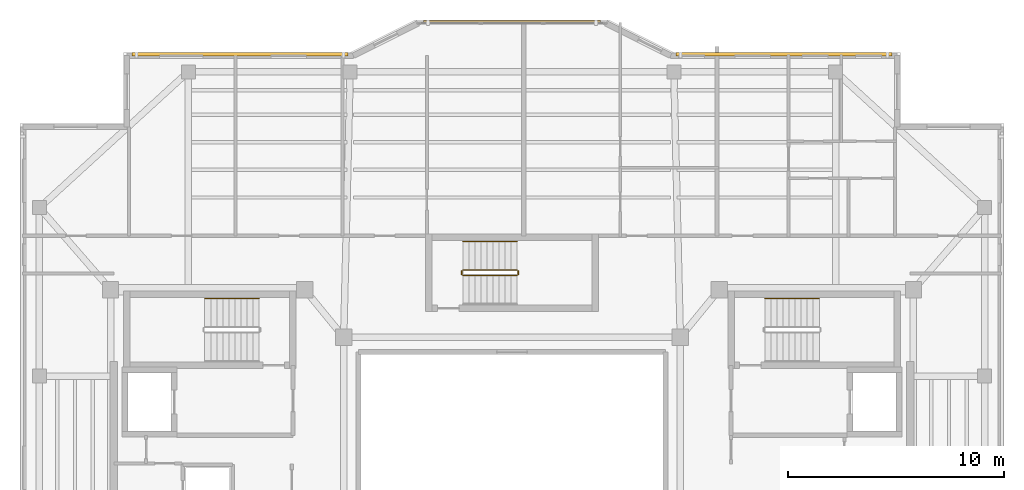
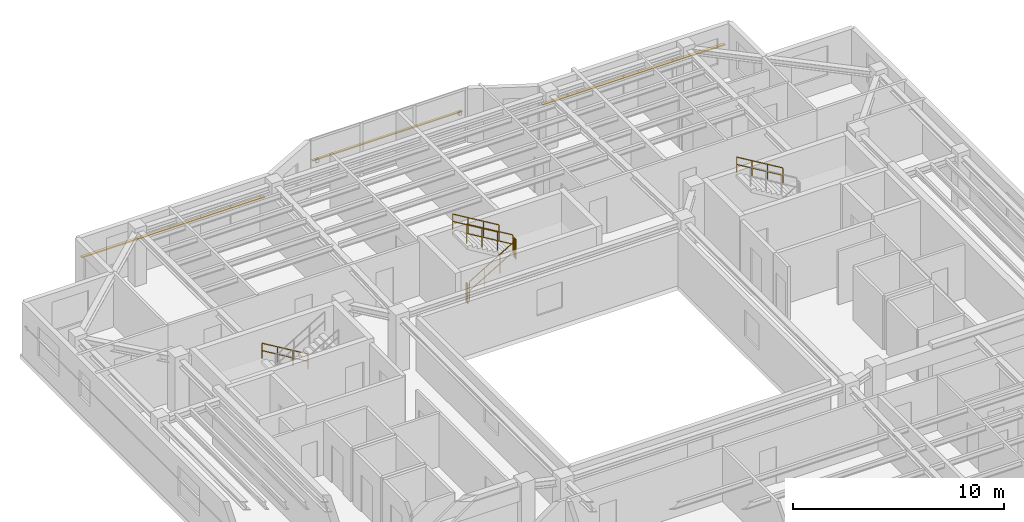
# One storey, part 14 of 14: 7 railings, 3 shading devices.
"""IFC4 building model written with IfcOpenShell, lengths in metres."""

import ifcopenshell
import ifcopenshell.guid

model = None  # the IFC model being written
_history = None  # IfcOwnerHistory: only IFC2X3 demands one
_inside = {}  # id of a spatial element -> (the spatial element, [elements in it])
_under = {}  # id of a project, library or spatial element -> (it, [spatial elements below it])
_declared = {}  # id of a project -> (the project, [libraries it declares])
_typed = {}  # id of a type object -> (the type object, [elements of that type])
_made_of = {}  # id of a material, layer set ... -> (it, [elements and type objects made of it])


def new_model(schema):
    """Start an empty IFC model of exactly this schema.

    Asked for "IFC4X3", IfcOpenShell would pick the latest addendum, in which some entities
    have other attributes; the version numbers below select the first issue.
    IFC2X3 requires an IfcOwnerHistory on every rooted entity: one is made here for all.
    """
    global model, _history
    if schema == "IFC4X3":
        model = ifcopenshell.file(schema_version=(4, 3, 0, 0))
    else:
        model = ifcopenshell.file(schema=schema)
    _inside.clear()
    _under.clear()
    _declared.clear()
    _typed.clear()
    _made_of.clear()
    _history = None
    if model.schema == "IFC2X3":
        org = make("IfcOrganization", Name="unknown")
        user = make(
            "IfcPersonAndOrganization",
            ThePerson=make("IfcPerson", FamilyName="unknown"),
            TheOrganization=org,
        )
        app = make(
            "IfcApplication",
            ApplicationDeveloper=org,
            Version="unknown",
            ApplicationFullName="unknown",
            ApplicationIdentifier="unknown",
        )
        _history = make(
            "IfcOwnerHistory",
            OwningUser=user,
            OwningApplication=app,
            ChangeAction="ADDED",
            CreationDate=0,
        )
    return model


def make(cls, **values):
    """One entity of the class cls with the attributes given. An attribute that is None is left unset."""
    return model.create_entity(
        cls, **{name: value for name, value in values.items() if value is not None}
    )


def rooted(cls, **values):
    """An entity with a GlobalId (a new one), such as an element, a storey or a relation."""
    return make(cls, GlobalId=ifcopenshell.guid.new(), OwnerHistory=_history, **values)


def si_unit(unit_type, name, prefix=None):
    """IfcSIUnit, for example si_unit("LENGTHUNIT", "METRE", prefix="MILLI")."""
    return make("IfcSIUnit", UnitType=unit_type, Prefix=prefix, Name=name)


def assignment(units):
    """IfcUnitAssignment: the units of a project."""
    return None if units is None else make("IfcUnitAssignment", Units=units)


def point(xyz):
    """IfcCartesianPoint."""
    return None if xyz is None else make("IfcCartesianPoint", Coordinates=xyz)


def direction(xyz):
    """IfcDirection."""
    return None if xyz is None else make("IfcDirection", DirectionRatios=xyz)


def frame(location, z_axis=None, x_axis=None):
    """IfcAxis2Placement3D, a coordinate frame: its origin and axes. An axis left out is left unset."""
    return make(
        "IfcAxis2Placement3D",
        Location=point(location),
        Axis=direction(z_axis),
        RefDirection=direction(x_axis),
    )


def frame_2d(location, x_axis=None):
    """IfcAxis2Placement2D, a coordinate frame in the plane: its origin and x axis."""
    return make(
        "IfcAxis2Placement2D", Location=point(location), RefDirection=direction(x_axis)
    )


def origin():
    """The frame at (0, 0, 0) with its axes left unset."""
    return frame((0.0, 0.0, 0.0))


def origin_2d():
    """The frame at (0, 0) in the plane with its x axis left unset."""
    return frame_2d((0.0, 0.0))


def place(relative_to, where):
    """IfcLocalPlacement: puts the frame where relative to a parent placement (None: the world)."""
    return make(
        "IfcLocalPlacement", PlacementRelTo=relative_to, RelativePlacement=where
    )


def context(
    kind, dimensions, precision=None, world=None, true_north=None, identifier=None
):
    """IfcGeometricRepresentationContext, for example the 3D "Model" context."""
    return make(
        "IfcGeometricRepresentationContext",
        ContextIdentifier=identifier,
        ContextType=kind,
        CoordinateSpaceDimension=dimensions,
        Precision=precision,
        WorldCoordinateSystem=world,
        TrueNorth=true_north,
    )


def subcontext(parent, identifier, kind, view, scale=None):
    """IfcGeometricRepresentationSubContext, for example "Body" below "Model"."""
    return make(
        "IfcGeometricRepresentationSubContext",
        ContextIdentifier=identifier,
        ContextType=kind,
        ParentContext=parent,
        TargetScale=scale,
        TargetView=view,
    )


def project(units=None, contexts=None):
    """IfcProject with its units and contexts."""
    return rooted(
        "IfcProject",
        Name="project",
        RepresentationContexts=contexts,
        UnitsInContext=assignment(units),
    )


def spatial(cls, under=None, at=None, **own):
    """A site, building, storey or space (cls), placed at a placement, below another one or the project."""
    s = rooted(cls, ObjectPlacement=at, **own)
    if under is not None:
        _under.setdefault(under.id(), (under, []))[1].append(s)
    return s


def profile(cls, at=None, kind="AREA", **sizes):
    """A parametric profile (cls). Its sizes go by their IFC names, for example OverallWidth=200.0."""
    return make(cls, ProfileType=kind, Position=at, **sizes)


def rectangle(**sizes):
    """IfcRectangleProfileDef."""
    return profile("IfcRectangleProfileDef", **sizes)


def circle(**sizes):
    """IfcCircleProfileDef."""
    return profile("IfcCircleProfileDef", **sizes)


def extrude(swept, where, along, depth):
    """IfcExtrudedAreaSolid: the profile swept, set in the frame where, extruded along a direction by depth."""
    return make(
        "IfcExtrudedAreaSolid",
        SweptArea=swept,
        Position=where,
        ExtrudedDirection=direction(along),
        Depth=depth,
    )


def shape(context_of_items, identifier, shape_type, items):
    """IfcShapeRepresentation: the items that make up one representation, for example the "Body"."""
    return make(
        "IfcShapeRepresentation",
        ContextOfItems=context_of_items,
        RepresentationIdentifier=identifier,
        RepresentationType=shape_type,
        Items=items,
    )


def material(Name=None, Category=None):
    """IfcMaterial."""
    return make("IfcMaterial", Name=Name, Category=Category)


def material_profile(
    of_material, cross_section, Name=None, Category=None, Priority=None
):
    """IfcMaterialProfile: a cross section and its material."""
    return make(
        "IfcMaterialProfile",
        Name=Name,
        Material=of_material,
        Profile=cross_section,
        Priority=Priority,
        Category=Category,
    )


def profile_set(profiles, Name=None, composite=None):
    """IfcMaterialProfileSet."""
    return make(
        "IfcMaterialProfileSet",
        Name=Name,
        MaterialProfiles=profiles,
        CompositeProfile=composite,
    )


def made_of(thing, what):
    """Note that an element or type object is made of a material, layer set ...; save() writes the relation."""
    if what is not None:
        _made_of.setdefault(what.id(), (what, []))[1].append(thing)
    return thing


def type_object(cls, material=None, **own):
    """A type object (cls), such as IfcWallType, which elements share."""
    return made_of(rooted(cls, **own), material)


def element(
    cls,
    number,
    at=None,
    inside=None,
    cuts=None,
    type_object=None,
    material=None,
    context=None,
    identifier="Body",
    shape_type=None,
    held_by="IfcProductDefinitionShape",
    body=None,
    shapes=None,
    **own,
):
    """One element of the class cls, such as IfcWall. Its Tag is "e" and its number.

    at: its placement. inside: the storey or other place that contains it. cuts: it is an
    opening in that element (IfcRelVoidsElement). A single representation is given by context,
    identifier, shape_type and body (its items); several are given by shapes. held_by: the class
    of the entity that holds the representations. save() writes the other relations.
    """
    e = rooted(cls, Tag="e%d" % number, ObjectPlacement=at, **own)
    if body is not None:
        shapes = [shape(context, identifier, shape_type, body)]
    if shapes is not None:
        e.Representation = make(held_by, Representations=shapes)
    if inside is not None:
        _inside.setdefault(inside.id(), (inside, []))[1].append(e)
    if cuts is not None:
        rooted(
            "IfcRelVoidsElement", RelatingBuildingElement=cuts, RelatedOpeningElement=e
        )
    if type_object is not None:
        _typed.setdefault(type_object.id(), (type_object, []))[1].append(e)
    return made_of(e, material)


def aggregate(whole, parts):
    """IfcRelAggregates: a whole, such as a stair, and the parts it consists of."""
    return rooted("IfcRelAggregates", RelatingObject=whole, RelatedObjects=parts)


def save(model, path):
    """Write the relations noted so far, then the file.

    IfcRelAggregates (storeys below a building ...), IfcRelContainedInSpatialStructure (elements
    in a storey), IfcRelDefinesByType, IfcRelAssociatesMaterial and IfcRelDeclares: one each for
    every whole, place, type object, material and project.
    """
    for whole, parts in _under.values():
        aggregate(whole, parts)
    for where, things in _inside.values():
        rooted(
            "IfcRelContainedInSpatialStructure",
            RelatedElements=things,
            RelatingStructure=where,
        )
    for kind, things in _typed.values():
        rooted("IfcRelDefinesByType", RelatedObjects=things, RelatingType=kind)
    for what, things in _made_of.values():
        rooted("IfcRelAssociatesMaterial", RelatedObjects=things, RelatingMaterial=what)
    for by, libraries in _declared.values():
        rooted("IfcRelDeclares", RelatingContext=by, RelatedDefinitions=libraries)
    model.write(path)


model = new_model("IFC4")

# Units and contexts
model_context = context("Model", 3, precision=1e-05, world=origin(), true_north=direction((0.0, 1.0)))
body_context = subcontext(model_context, "Body", "Model", "MODEL_VIEW")
ifc_project = project(units=[si_unit("LENGTHUNIT", "METRE"), si_unit("AREAUNIT", "SQUARE_METRE"), si_unit("VOLUMEUNIT", "CUBIC_METRE"), si_unit("PLANEANGLEUNIT", "RADIAN"), si_unit("MASSUNIT", "GRAM", prefix="KILO")], contexts=[model_context])

# Site, building, storey
site_placement = place(None, origin())
site = spatial("IfcSite", under=ifc_project, at=site_placement, CompositionType="ELEMENT")
building_placement = place(site_placement, origin())
building = spatial("IfcBuilding", under=site, at=building_placement, Name="Tarnavaz Court Tower", CompositionType="ELEMENT")
storey_placement = place(building_placement, frame((0.0, 0.0, 258.25)))
storey = spatial("IfcBuildingStorey", under=building, at=storey_placement, Name="L70", CompositionType="ELEMENT", Elevation=258.25)

# Railings
ifc_material_1 = material(Name="Brushed Stainless Steel", Category="steel")
railing_type_1 = type_object("IfcRailingType", Name="RL-HANDRAIL-900", PredefinedType="HANDRAIL", material=ifc_material_1)
for number, where, name in (
    (1, (-11.719970703125, 9.590087890625, 0.16748046875), "L70 ST-W1 stair handrail 1"),
    (2, (14.239990234375, 9.590087890625, 1.842529296875), "L70 ST-E1 stair handrail 2"),
    (3, (0.239990234375, 12.239990234375, 1.842529296875), "L70 ST-N1 stair handrail 2"),
):
    element("IfcRailing", number, at=place(storey_placement, frame(where)), inside=storey, type_object=railing_type_1, Name=name, PredefinedType="HANDRAIL", context=body_context, shape_type="SweptSolid", body=[
        extrude(circle(Radius=0.02392578125, at=origin_2d()), frame((0.0, 0.0, 0.8759765625), z_axis=(-0.858159760407, 0.0, 0.513382728203), x_axis=(0.0, -1.0, 0.0)), (0.0, 0.0, 1.0), 2.9365234375),
        extrude(circle(Radius=0.02392578125, at=origin_2d()), frame((0.0, 0.0, 0.449951171875), z_axis=(-0.858159760407, 0.0, 0.513382728203), x_axis=(0.0, -1.0, 0.0)), (0.0, 0.0, 1.0), 2.9365234375),
        extrude(circle(Radius=0.02099609375, at=origin_2d()), origin(), (0.0, 0.0, 1.0), 0.851806640625),
        extrude(circle(Radius=0.02099609375, at=origin_2d()), frame((-0.840087890625, 0.0, 0.50244140625)), (0.0, 0.0, 1.0), 0.851806640625),
        extrude(circle(Radius=0.02099609375, at=origin_2d()), frame((-1.679931640625, 0.0, 1.005126953125)), (0.0, 0.0, 1.0), 0.851806640625),
        extrude(circle(Radius=0.02099609375, at=origin_2d()), frame((-2.52001953125, 0.0, 1.507568359375)), (0.0, 0.0, 1.0), 0.851806640625),
    ])
ifc_material_2 = material(Name="Galvanized Painted Tubular Steel", Category="steel")
railing_type_2 = type_object("IfcRailingType", Name="RL-STGUARD-1120", PredefinedType="GUARDRAIL", material=ifc_material_2)
railing_1_placement = place(storey_placement, frame((-2.280029296875, 10.669921875, 0.16748046875)))
element("IfcRailing", 4, at=railing_1_placement, inside=storey, type_object=railing_type_2, Name="L70 ST-N1 stair guard 1", PredefinedType="GUARDRAIL", context=body_context, shape_type="SweptSolid", body=[
    extrude(circle(Radius=0.02392578125, at=origin_2d()), frame((0.0, 0.0, 1.09619140625), z_axis=(0.858159760407, 0.0, 0.513382728203), x_axis=(0.0, 1.0, 0.0)), (0.0, 0.0, 1.0), 2.9365234375),
    extrude(circle(Radius=0.02392578125, at=origin_2d()), frame((0.0, 0.0, 0.56005859375), z_axis=(0.858159760407, 0.0, 0.513382728203), x_axis=(0.0, 1.0, 0.0)), (0.0, 0.0, 1.0), 2.9365234375),
    extrude(circle(Radius=0.02099609375, at=origin_2d()), origin(), (0.0, 0.0, 1.0), 1.072021484375),
    extrude(circle(Radius=0.02099609375, at=origin_2d()), frame((0.840087890625, 0.0, 0.50244140625)), (0.0, 0.0, 1.0), 1.072021484375),
    extrude(circle(Radius=0.02099609375, at=origin_2d()), frame((1.679931640625, 0.0, 1.005126953125)), (0.0, 0.0, 1.0), 1.072021484375),
    extrude(circle(Radius=0.02099609375, at=origin_2d()), frame((2.52001953125, 0.0, 1.507568359375)), (0.0, 0.0, 1.0), 1.072021484375),
])
railing_2_placement = place(storey_placement, frame((0.2900390625, 10.719970703125, 1.675048828125)))
element("IfcRailing", 5, at=railing_2_placement, inside=storey, type_object=railing_type_2, Name="L70 ST-N1 stair guard 2", PredefinedType="GUARDRAIL", context=body_context, shape_type="SweptSolid", body=[
    extrude(circle(Radius=0.02392578125, at=origin_2d()), frame((0.0, 0.0, 1.09619140625), z_axis=(0.0, 1.0, 0.0), x_axis=(-1.0, 0.0, 0.0)), (0.0, 0.0, 1.0), 0.150146484375),
    extrude(circle(Radius=0.02392578125, at=origin_2d()), frame((0.0, 0.0, 0.56005859375), z_axis=(0.0, 1.0, 0.0), x_axis=(-1.0, 0.0, 0.0)), (0.0, 0.0, 1.0), 0.150146484375),
    extrude(circle(Radius=0.02099609375, at=origin_2d()), origin(), (0.0, 0.0, 1.0), 1.072021484375),
    extrude(circle(Radius=0.02099609375, at=origin_2d()), frame((0.0, 0.150146484375, 0.0)), (0.0, 0.0, 1.0), 1.072021484375),
])
railing_3_placement = place(storey_placement, frame((0.239990234375, 10.919921875, 1.842529296875)))
element("IfcRailing", 6, at=railing_3_placement, inside=storey, type_object=railing_type_2, Name="L70 ST-N1 stair guard 3", PredefinedType="GUARDRAIL", context=body_context, shape_type="SweptSolid", body=[
    extrude(circle(Radius=0.02392578125, at=origin_2d()), frame((0.0, 0.0, 1.09619140625), z_axis=(-0.858159760407, 0.0, 0.513382728203), x_axis=(0.0, -1.0, 0.0)), (0.0, 0.0, 1.0), 2.9365234375),
    extrude(circle(Radius=0.02392578125, at=origin_2d()), frame((0.0, 0.0, 0.56005859375), z_axis=(-0.858159760407, 0.0, 0.513382728203), x_axis=(0.0, -1.0, 0.0)), (0.0, 0.0, 1.0), 2.9365234375),
    extrude(circle(Radius=0.02099609375, at=origin_2d()), origin(), (0.0, 0.0, 1.0), 1.072021484375),
    extrude(circle(Radius=0.02099609375, at=origin_2d()), frame((-0.840087890625, 0.0, 0.50244140625)), (0.0, 0.0, 1.0), 1.072021484375),
    extrude(circle(Radius=0.02099609375, at=origin_2d()), frame((-1.679931640625, 0.0, 1.005126953125)), (0.0, 0.0, 1.0), 1.072021484375),
    extrude(circle(Radius=0.02099609375, at=origin_2d()), frame((-2.52001953125, 0.0, 1.507568359375)), (0.0, 0.0, 1.0), 1.072021484375),
])
railing_4_placement = place(storey_placement, frame((-2.330078125, 10.719970703125, 0.0)))
element("IfcRailing", 7, at=railing_4_placement, inside=storey, type_object=railing_type_2, Name="L70 ST-N1 stair guard 4", PredefinedType="GUARDRAIL", context=body_context, shape_type="SweptSolid", body=[
    extrude(circle(Radius=0.02392578125, at=origin_2d()), frame((0.0, 0.0, 1.09619140625), z_axis=(0.0, 1.0, 0.0), x_axis=(-1.0, 0.0, 0.0)), (0.0, 0.0, 1.0), 0.150146484375),
    extrude(circle(Radius=0.02392578125, at=origin_2d()), frame((0.0, 0.0, 0.56005859375), z_axis=(0.0, 1.0, 0.0), x_axis=(-1.0, 0.0, 0.0)), (0.0, 0.0, 1.0), 0.150146484375),
    extrude(circle(Radius=0.02099609375, at=origin_2d()), origin(), (0.0, 0.0, 1.0), 1.072021484375),
    extrude(circle(Radius=0.02099609375, at=origin_2d()), frame((0.0, 0.150146484375, 0.0)), (0.0, 0.0, 1.0), 1.072021484375),
])

# Shading devices
ifc_material_3 = material(Name="Kiln-Fired Khorasan Terracotta Ceramic", Category="masonry")
ifc_material_profile_1 = material_profile(ifc_material_3, rectangle(XDim=0.1201171875, YDim=0.06005859375, at=origin_2d()), Name="TC BAGUETTE 120X60")
ifc_profile_set_1 = profile_set([ifc_material_profile_1], Name="Kiln-Fired Khorasan Terracotta Ceramic")
shading_device_type_1 = type_object("IfcShadingDeviceType", Name="SD-BAG-120", PredefinedType="USERDEFINED", material=ifc_profile_set_1)
shading_device_placement = place(storey_placement, frame((-4.10009765625, 22.409912109375, 1.800048828125), z_axis=(1.0, 0.0, 0.0), x_axis=(0.0, 1.0, 0.0)))
element("IfcShadingDevice", 8, at=shading_device_placement, inside=storey, type_object=shading_device_type_1, Name="L70 Terracotta Baguette Screen PBG7", ObjectType="BAGUETTE", PredefinedType="USERDEFINED", context=body_context, shape_type="SweptSolid", body=[
    extrude(rectangle(XDim=0.1201171875, YDim=0.06005859375, at=origin_2d()), origin(), (0.0, 0.0, 1.0), 8.2001953125),
])
ifc_material_profile_2 = material_profile(ifc_material_3, rectangle(XDim=0.14990234375, YDim=0.06494140625, at=origin_2d()), Name="TC BAGUETTE 150X65")
ifc_profile_set_2 = profile_set([ifc_material_profile_2], Name="Kiln-Fired Khorasan Terracotta Ceramic")
shading_device_type_2 = type_object("IfcShadingDeviceType", Name="SD-BAG-150", PredefinedType="USERDEFINED", material=ifc_profile_set_2)
for number, where, z_axis, x_axis, name in (
    (9, (-17.60009765625, 20.909912109375, 1.85009765625), (1.0, 0.0, 0.0), (0.0, 1.0, 0.0), "L70 Terracotta Baguette Screen FBG05"),
    (10, (7.60009765625, 20.909912109375, 1.85009765625), (1.0, 0.0, 0.0), (0.0, 1.0, 0.0), "L70 Terracotta Baguette Screen FBG09"),
):
    element("IfcShadingDevice", number, at=place(storey_placement, frame(where, z_axis=z_axis, x_axis=x_axis)), inside=storey, type_object=shading_device_type_2, Name=name, ObjectType="BAGUETTE", PredefinedType="USERDEFINED", context=body_context, shape_type="SweptSolid", body=[
        extrude(rectangle(XDim=0.14990234375, YDim=0.06494140625, at=origin_2d()), origin(), (0.0, 0.0, 1.0), 10.0),
    ])

save(model, "model.ifc")
